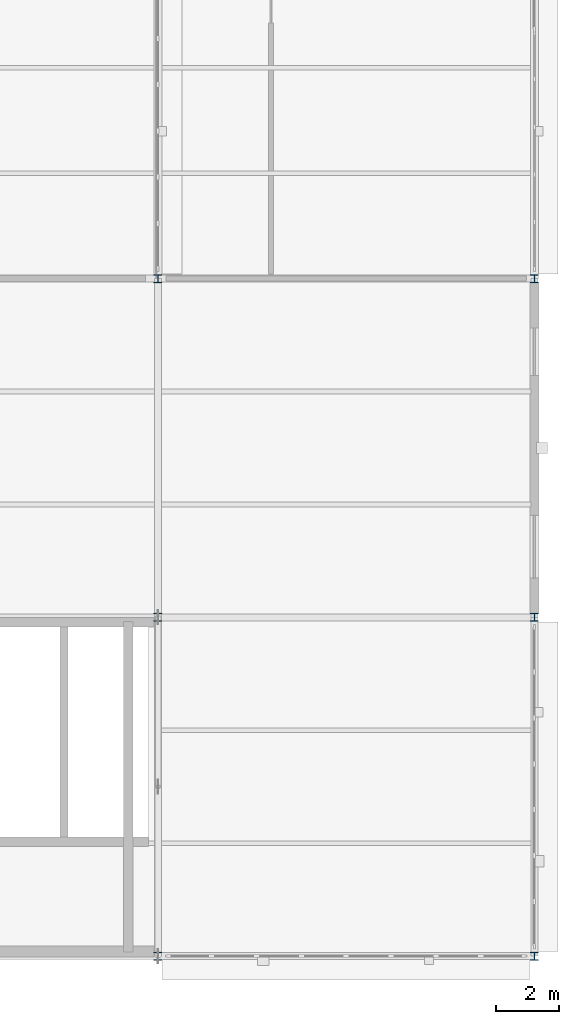
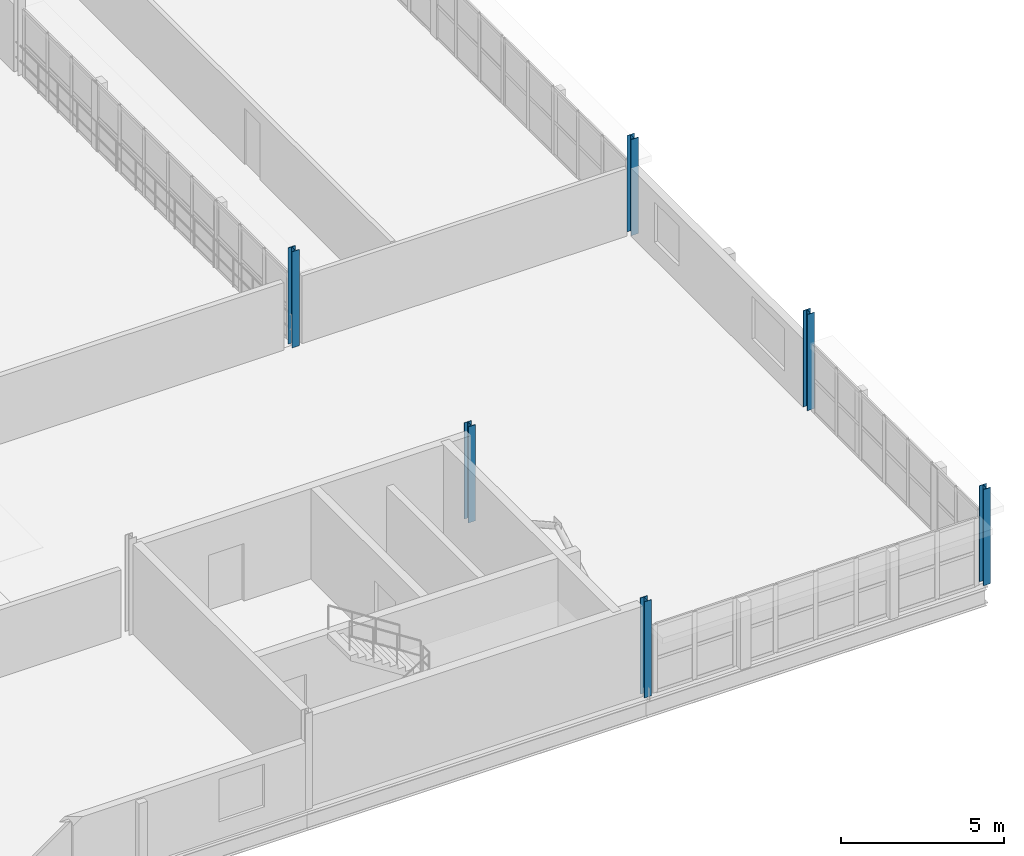
# One storey, part 14 of 74: 6 columns.
"""IFC4 building model written with IfcOpenShell, lengths in metres."""

from ifc_helpers import new_model, si_unit, direction, frame, origin, origin_2d, place, context, subcontext, project, spatial, i_section, extrude, material, material_profile, profile_set, type_object, element, save


model = new_model("IFC4")

# Units and contexts
model_context = context("Model", 3, precision=1e-05, world=origin(), true_north=direction((0.0, 1.0)))
body_context = subcontext(model_context, "Body", "Model", "MODEL_VIEW")
ifc_project = project(units=[si_unit("LENGTHUNIT", "METRE"), si_unit("AREAUNIT", "SQUARE_METRE"), si_unit("VOLUMEUNIT", "CUBIC_METRE"), si_unit("PLANEANGLEUNIT", "RADIAN"), si_unit("MASSUNIT", "GRAM", prefix="KILO"), si_unit("THERMODYNAMICTEMPERATUREUNIT", "KELVIN"), si_unit("POWERUNIT", "WATT")], contexts=[model_context])

# Site, building, storey
site_placement = place(None, origin())
site = spatial("IfcSite", under=ifc_project, at=site_placement, CompositionType="ELEMENT")
building_placement = place(site_placement, origin())
building = spatial("IfcBuilding", under=site, at=building_placement, Name="Tembeka Court Mobility Hub", CompositionType="ELEMENT")
storey_placement = place(building_placement, frame((0.0, 0.0, 12.60009765625)))
storey = spatial("IfcBuildingStorey", under=building, at=storey_placement, Name="L03", CompositionType="ELEMENT", Elevation=12.60009765625)

# Columns
ifc_material = material(Name="Steel S355", Category="steel")
ifc_material_profile = material_profile(ifc_material, i_section(OverallWidth=0.256103515625, OverallDepth=0.260009765625, WebThickness=0.01025390625, FlangeThickness=0.017333984375, FilletRadius=0.0126953125, at=origin_2d()), Name="UKC 254x254x89")
ifc_profile_set = profile_set([ifc_material_profile], Name="Steel S355")
column_type = type_object("IfcColumnType", Name="COL-C05", PredefinedType="COLUMN", material=ifc_profile_set)
for number, where, z_axis, x_axis, name in (
    (1, (164.39990234375, 0.0, 0.0), (0.0, 0.0, 1.0), (1.0, 0.0, 0.0), "Column C05 (L03-220)"),
    (2, (164.39990234375, 10.800048828125, 0.0), (0.0, 0.0, 1.0), (1.0, 0.0, 0.0), "Column C05 (L03-221)"),
    (3, (164.39990234375, 21.60009765625, 0.0), (0.0, 0.0, 1.0), (1.0, 0.0, 0.0), "Column C05 (L03-222)"),
    (4, (176.39990234375, 0.0, 0.0), (0.0, 0.0, 1.0), (1.0, 0.0, 0.0), "Column C05 (L03-239)"),
    (5, (176.39990234375, 10.800048828125, 0.0), (0.0, 0.0, 1.0), (1.0, 0.0, 0.0), "Column C05 (L03-240)"),
    (6, (176.39990234375, 21.60009765625, 0.0), (0.0, 0.0, 1.0), (1.0, 0.0, 0.0), "Column C05 (L03-241)"),
):
    element("IfcColumn", number, at=place(storey_placement, frame(where, z_axis=z_axis, x_axis=x_axis)), inside=storey, type_object=column_type, Name=name, PredefinedType="COLUMN", context=body_context, shape_type="SweptSolid", body=[
        extrude(i_section(OverallWidth=0.256103515625, OverallDepth=0.260009765625, WebThickness=0.01025390625, FlangeThickness=0.017333984375, FilletRadius=0.0126953125, at=origin_2d()), origin(), (0.0, 0.0, 1.0), 3.599853515625),
    ])

save(model, "model.ifc")
